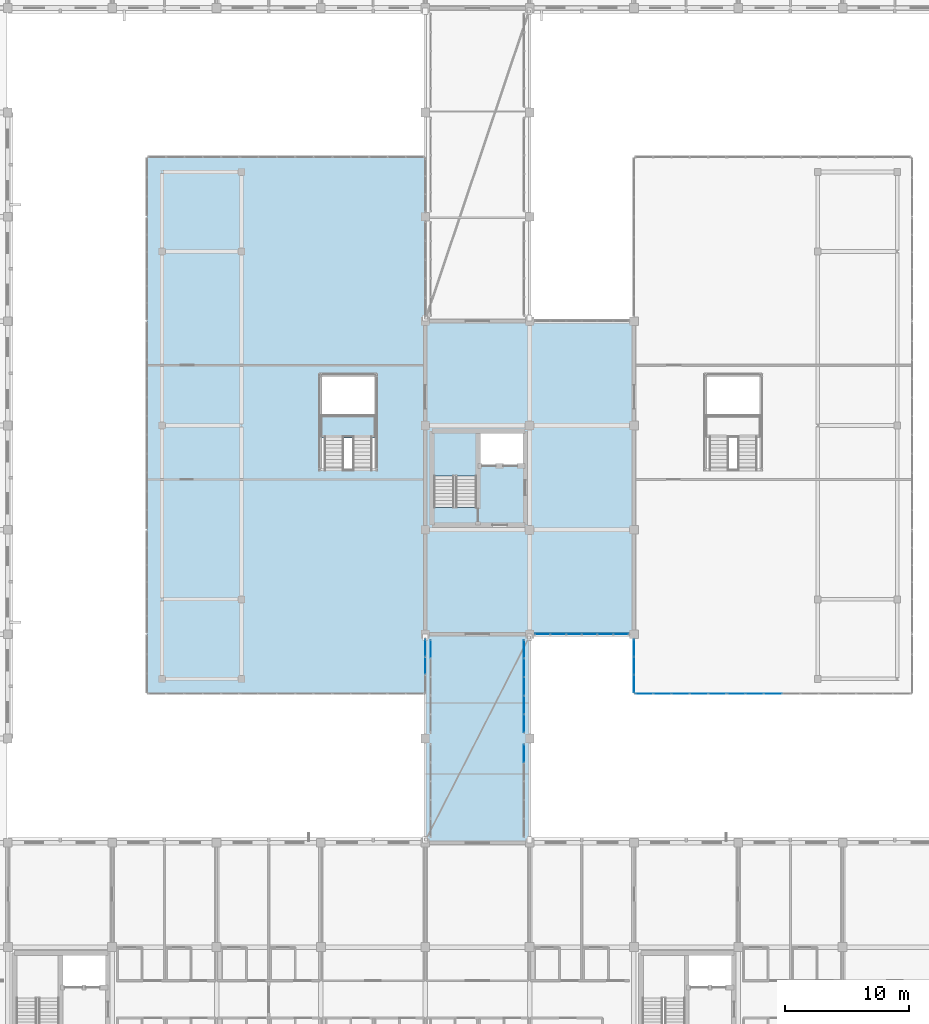
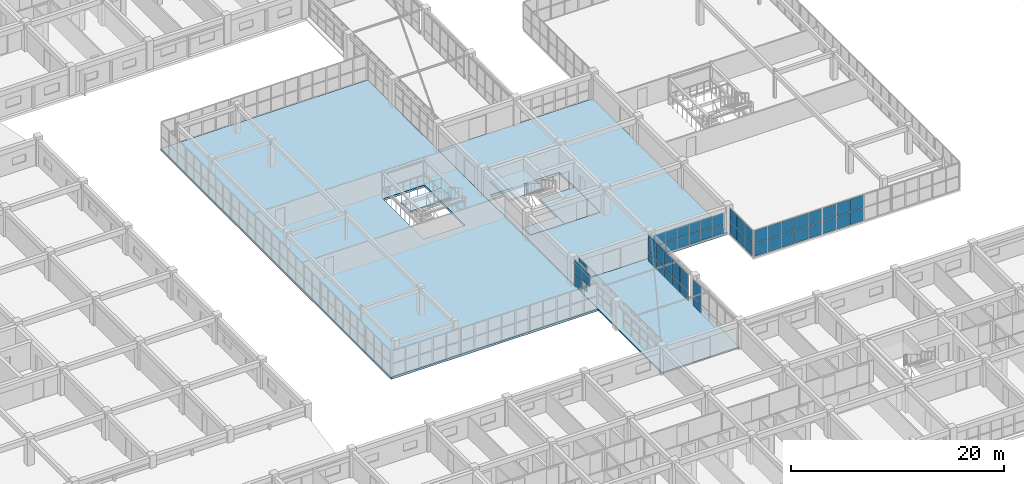
# One storey, part 101 of 148: 51 plates, 7 slabs, 10 elements without a shape of their own.
"""IFC4 building model written with IfcOpenShell, lengths in metres."""

from ifc_helpers import new_model, si_unit, direction, frame, origin, origin_2d, place, context, subcontext, project, spatial, polyline, rectangle, outline, extrude, material, layer, layer_set, type_object, element, aggregate, save


model = new_model("IFC4")

# Units and contexts
model_context = context("Model", 3, precision=1e-05, world=origin(), true_north=direction((0.0, 1.0)))
body_context = subcontext(model_context, "Body", "Model", "MODEL_VIEW")
ifc_project = project(units=[si_unit("LENGTHUNIT", "METRE"), si_unit("AREAUNIT", "SQUARE_METRE"), si_unit("VOLUMEUNIT", "CUBIC_METRE"), si_unit("PLANEANGLEUNIT", "RADIAN"), si_unit("MASSUNIT", "GRAM", prefix="KILO")], contexts=[model_context])

# Site, building, storey
site_placement = place(None, origin())
site = spatial("IfcSite", under=ifc_project, at=site_placement, CompositionType="ELEMENT")
building_placement = place(site_placement, origin())
building = spatial("IfcBuilding", under=site, at=building_placement, Name="Trelvath General Hospital", CompositionType="ELEMENT")
storey_placement = place(building_placement, frame((0.0, 0.0, 12.89990234375)))
storey = spatial("IfcBuildingStorey", under=building, at=storey_placement, Name="L03", CompositionType="ELEMENT", Elevation=12.89990234375)

# Slab
ifc_material_1 = material(Name="Concrete C35/45", Category="concrete")
ifc_layer_1 = layer(ifc_material_1, 0.18994140625)
ifc_layer_set_1 = layer_set([ifc_layer_1], Name="Concrete C35/45")
slab_type_1 = type_object("IfcSlabType", Name="BridgeDeck 190", PredefinedType="FLOOR", material=ifc_layer_set_1)
slab_1_placement = place(storey_placement, frame((0.0, 0.0, -0.18994140625)))
element("IfcSlab", 1, at=slab_1_placement, inside=storey, type_object=slab_type_1, Name="Courtyard Bridge Deck BRG-S-C L03", PredefinedType="FLOOR", context=body_context, shape_type="SweptSolid", body=[
    extrude(outline(polyline([(75.60009765625, 25.199951171875), (84.0, 25.199951171875), (84.0, 42.0), (75.60009765625, 42.0), (75.60009765625, 25.199951171875)])), origin(), (0.0, 0.0, 1.0), 0.18994140625),
])

# Curtain wall, plates
ifc_material_2 = material(Name="Anodised aluminium and low-E glass", Category="aluminium")
ifc_layer_2 = layer(ifc_material_2, 0.14990234375)
ifc_layer_set_2 = layer_set([ifc_layer_2], Name="Anodised aluminium and low-E glass")
curtain_wall_type_1 = type_object("IfcCurtainWallType", Name="CW CrystalCube 434 306 15", PredefinedType="USERDEFINED", material=ifc_layer_set_2)
curtain_wall_1_placement = place(storey_placement, origin())
curtain_wall_1 = element("IfcCurtainWall", 2, at=curtain_wall_1_placement, inside=storey, type_object=curtain_wall_type_1, Name="Crystal Cube Curtain Wall CUBE-W-T1 E1 L03", ObjectType="Unitised Glazed Curtain Wall", PredefinedType="USERDEFINED")
ifc_material_3 = material(Name="Low-E laminated glass", Category="glass")
ifc_layer_3 = layer(ifc_material_3, 0.028076171875)
ifc_layer_set_3 = layer_set([ifc_layer_3], Name="Low-E laminated glass")
plate_type_1 = type_object("IfcPlateType", Name="CurtainPanel Glass28", PredefinedType="CURTAIN_PANEL", material=ifc_layer_set_3)
plate_1_placement = place(storey_placement, frame((75.60009765625, 40.881591796875, 0.06005859375), z_axis=(0.0, 0.0, 1.0), x_axis=(0.0, -1.0, 0.0)))
plate_1 = element("IfcPlate", 3, at=plate_1_placement, type_object=plate_type_1, Name="CW-237 panel 1.1", PredefinedType="CURTAIN_PANEL", context=body_context, shape_type="SweptSolid", body=[
    extrude(rectangle(XDim=1.356689453125, YDim=0.028076171875, at=origin_2d()), origin(), (0.0, 0.0, 1.0), 1.43994140625),
])
plate_2_placement = place(storey_placement, frame((75.60009765625, 40.881591796875, 1.56005859375), z_axis=(0.0, 0.0, 1.0), x_axis=(0.0, -1.0, 0.0)))
plate_2 = element("IfcPlate", 4, at=plate_2_placement, type_object=plate_type_1, Name="CW-237 panel 1.2", PredefinedType="CURTAIN_PANEL", context=body_context, shape_type="SweptSolid", body=[
    extrude(rectangle(XDim=1.356689453125, YDim=0.028076171875, at=origin_2d()), origin(), (0.0, 0.0, 1.0), 1.43994140625),
])
plate_3_placement = place(storey_placement, frame((75.60009765625, 39.449951171875, 1.56005859375), z_axis=(0.0, 0.0, 1.0), x_axis=(0.0, -1.0, 0.0)))
plate_3 = element("IfcPlate", 5, at=plate_3_placement, type_object=plate_type_1, Name="CW-237 panel 2.2", PredefinedType="CURTAIN_PANEL", context=body_context, shape_type="SweptSolid", body=[
    extrude(rectangle(XDim=1.38671875, YDim=0.028076171875, at=origin_2d()), origin(), (0.0, 0.0, 1.0), 1.43994140625),
])
aggregate(curtain_wall_1, [plate_1, plate_2, plate_3])

ifc_material_4 = material(Name="Anodised aluminium and low-E glass", Category="aluminium")
ifc_layer_4 = layer(ifc_material_4, 0.14990234375)
ifc_layer_set_4 = layer_set([ifc_layer_4], Name="Anodised aluminium and low-E glass")
curtain_wall_type_2 = type_object("IfcCurtainWallType", Name="CW CrystalCube 737 306 15", PredefinedType="USERDEFINED", material=ifc_layer_set_4)
curtain_wall_2_placement = place(storey_placement, origin())
curtain_wall_2 = element("IfcCurtainWall", 6, at=curtain_wall_2_placement, inside=storey, type_object=curtain_wall_type_2, Name="Crystal Cube Curtain Wall CUBE-E-T1 S1 L03", ObjectType="Unitised Glazed Curtain Wall", PredefinedType="USERDEFINED")
plate_4_placement = place(storey_placement, frame((99.094970703125, 37.199951171875, 0.06005859375), z_axis=(0.0, 0.0, 1.0), x_axis=(-1.0, 0.0, 0.0)))
plate_4 = element("IfcPlate", 7, at=plate_4_placement, type_object=plate_type_1, Name="CW-244 panel 1.1", PredefinedType="CURTAIN_PANEL", context=body_context, shape_type="SweptSolid", body=[
    extrude(rectangle(XDim=1.38330078125, YDim=0.028076171875, at=origin_2d()), origin(), (0.0, 0.0, 1.0), 1.43994140625),
])
plate_5_placement = place(storey_placement, frame((99.094970703125, 37.199951171875, 1.56005859375), z_axis=(0.0, 0.0, 1.0), x_axis=(-1.0, 0.0, 0.0)))
plate_5 = element("IfcPlate", 8, at=plate_5_placement, type_object=plate_type_1, Name="CW-244 panel 1.2", PredefinedType="CURTAIN_PANEL", context=body_context, shape_type="SweptSolid", body=[
    extrude(rectangle(XDim=1.38330078125, YDim=0.028076171875, at=origin_2d()), origin(), (0.0, 0.0, 1.0), 1.43994140625),
])
plate_6_placement = place(storey_placement, frame((97.63671875, 37.199951171875, 0.06005859375), z_axis=(0.0, 0.0, 1.0), x_axis=(-1.0, 0.0, 0.0)))
plate_6 = element("IfcPlate", 9, at=plate_6_placement, type_object=plate_type_1, Name="CW-244 panel 2.1", PredefinedType="CURTAIN_PANEL", context=body_context, shape_type="SweptSolid", body=[
    extrude(rectangle(XDim=1.413330078125, YDim=0.028076171875, at=origin_2d()), origin(), (0.0, 0.0, 1.0), 1.43994140625),
])
plate_7_placement = place(storey_placement, frame((97.63671875, 37.199951171875, 1.56005859375), z_axis=(0.0, 0.0, 1.0), x_axis=(-1.0, 0.0, 0.0)))
plate_7 = element("IfcPlate", 10, at=plate_7_placement, type_object=plate_type_1, Name="CW-244 panel 2.2", PredefinedType="CURTAIN_PANEL", context=body_context, shape_type="SweptSolid", body=[
    extrude(rectangle(XDim=1.413330078125, YDim=0.028076171875, at=origin_2d()), origin(), (0.0, 0.0, 1.0), 1.43994140625),
])
plate_8_placement = place(storey_placement, frame((96.163330078125, 37.199951171875, 0.06005859375), z_axis=(0.0, 0.0, 1.0), x_axis=(-1.0, 0.0, 0.0)))
plate_8 = element("IfcPlate", 11, at=plate_8_placement, type_object=plate_type_1, Name="CW-244 panel 3.1", PredefinedType="CURTAIN_PANEL", context=body_context, shape_type="SweptSolid", body=[
    extrude(rectangle(XDim=1.413330078125, YDim=0.028076171875, at=origin_2d()), origin(), (0.0, 0.0, 1.0), 1.43994140625),
])
plate_9_placement = place(storey_placement, frame((96.163330078125, 37.199951171875, 1.56005859375), z_axis=(0.0, 0.0, 1.0), x_axis=(-1.0, 0.0, 0.0)))
plate_9 = element("IfcPlate", 12, at=plate_9_placement, type_object=plate_type_1, Name="CW-244 panel 3.2", PredefinedType="CURTAIN_PANEL", context=body_context, shape_type="SweptSolid", body=[
    extrude(rectangle(XDim=1.413330078125, YDim=0.028076171875, at=origin_2d()), origin(), (0.0, 0.0, 1.0), 1.43994140625),
])
plate_10_placement = place(storey_placement, frame((94.68994140625, 37.199951171875, 0.06005859375), z_axis=(0.0, 0.0, 1.0), x_axis=(-1.0, 0.0, 0.0)))
plate_10 = element("IfcPlate", 13, at=plate_10_placement, type_object=plate_type_1, Name="CW-244 panel 4.1", PredefinedType="CURTAIN_PANEL", context=body_context, shape_type="SweptSolid", body=[
    extrude(rectangle(XDim=1.413330078125, YDim=0.028076171875, at=origin_2d()), origin(), (0.0, 0.0, 1.0), 1.43994140625),
])
plate_11_placement = place(storey_placement, frame((94.68994140625, 37.199951171875, 1.56005859375), z_axis=(0.0, 0.0, 1.0), x_axis=(-1.0, 0.0, 0.0)))
plate_11 = element("IfcPlate", 14, at=plate_11_placement, type_object=plate_type_1, Name="CW-244 panel 4.2", PredefinedType="CURTAIN_PANEL", context=body_context, shape_type="SweptSolid", body=[
    extrude(rectangle(XDim=1.413330078125, YDim=0.028076171875, at=origin_2d()), origin(), (0.0, 0.0, 1.0), 1.43994140625),
])
plate_12_placement = place(storey_placement, frame((93.231689453125, 37.199951171875, 0.06005859375), z_axis=(0.0, 0.0, 1.0), x_axis=(-1.0, 0.0, 0.0)))
plate_12 = element("IfcPlate", 15, at=plate_12_placement, type_object=plate_type_1, Name="CW-244 panel 5.1", PredefinedType="CURTAIN_PANEL", context=body_context, shape_type="SweptSolid", body=[
    extrude(rectangle(XDim=1.38330078125, YDim=0.028076171875, at=origin_2d()), origin(), (0.0, 0.0, 1.0), 1.43994140625),
])
plate_13_placement = place(storey_placement, frame((93.231689453125, 37.199951171875, 1.56005859375), z_axis=(0.0, 0.0, 1.0), x_axis=(-1.0, 0.0, 0.0)))
plate_13 = element("IfcPlate", 16, at=plate_13_placement, type_object=plate_type_1, Name="CW-244 panel 5.2", PredefinedType="CURTAIN_PANEL", context=body_context, shape_type="SweptSolid", body=[
    extrude(rectangle(XDim=1.38330078125, YDim=0.028076171875, at=origin_2d()), origin(), (0.0, 0.0, 1.0), 1.43994140625),
])
aggregate(curtain_wall_2, [plate_4, plate_5, plate_6, plate_7, plate_8, plate_9, plate_10, plate_11, plate_12, plate_13])

ifc_material_5 = material(Name="Anodised aluminium and low-E glass", Category="aluminium")
ifc_layer_5 = layer(ifc_material_5, 0.14990234375)
ifc_layer_set_5 = layer_set([ifc_layer_5], Name="Anodised aluminium and low-E glass")
curtain_wall_type_3 = type_object("IfcCurtainWallType", Name="CW CrystalCube 743 306 15", PredefinedType="USERDEFINED", material=ifc_layer_set_5)
curtain_wall_3_placement = place(storey_placement, origin())
curtain_wall_3 = element("IfcCurtainWall", 17, at=curtain_wall_3_placement, inside=storey, type_object=curtain_wall_type_3, Name="Crystal Cube Curtain Wall CUBE-E-T1 S2 L03", ObjectType="Unitised Glazed Curtain Wall", PredefinedType="USERDEFINED")
plate_14_placement = place(storey_placement, frame((103.60009765625, 37.199951171875, 0.06005859375), z_axis=(0.0, 0.0, 1.0), x_axis=(-1.0, 0.0, 0.0)))
plate_14 = element("IfcPlate", 18, at=plate_14_placement, type_object=plate_type_1, Name="CW-245 panel 3.1", PredefinedType="CURTAIN_PANEL", context=body_context, shape_type="SweptSolid", body=[
    extrude(rectangle(XDim=1.42529296875, YDim=0.028076171875, at=origin_2d()), origin(), (0.0, 0.0, 1.0), 1.43994140625),
])
plate_15_placement = place(storey_placement, frame((103.60009765625, 37.199951171875, 1.56005859375), z_axis=(0.0, 0.0, 1.0), x_axis=(-1.0, 0.0, 0.0)))
plate_15 = element("IfcPlate", 19, at=plate_15_placement, type_object=plate_type_1, Name="CW-245 panel 3.2", PredefinedType="CURTAIN_PANEL", context=body_context, shape_type="SweptSolid", body=[
    extrude(rectangle(XDim=1.42529296875, YDim=0.028076171875, at=origin_2d()), origin(), (0.0, 0.0, 1.0), 1.43994140625),
])
plate_16_placement = place(storey_placement, frame((102.11474609375, 37.199951171875, 0.06005859375), z_axis=(0.0, 0.0, 1.0), x_axis=(-1.0, 0.0, 0.0)))
plate_16 = element("IfcPlate", 20, at=plate_16_placement, type_object=plate_type_1, Name="CW-245 panel 4.1", PredefinedType="CURTAIN_PANEL", context=body_context, shape_type="SweptSolid", body=[
    extrude(rectangle(XDim=1.42529296875, YDim=0.028076171875, at=origin_2d()), origin(), (0.0, 0.0, 1.0), 1.43994140625),
])
plate_17_placement = place(storey_placement, frame((102.11474609375, 37.199951171875, 1.56005859375), z_axis=(0.0, 0.0, 1.0), x_axis=(-1.0, 0.0, 0.0)))
plate_17 = element("IfcPlate", 21, at=plate_17_placement, type_object=plate_type_1, Name="CW-245 panel 4.2", PredefinedType="CURTAIN_PANEL", context=body_context, shape_type="SweptSolid", body=[
    extrude(rectangle(XDim=1.42529296875, YDim=0.028076171875, at=origin_2d()), origin(), (0.0, 0.0, 1.0), 1.43994140625),
])
plate_18_placement = place(storey_placement, frame((100.644287109375, 37.199951171875, 0.06005859375), z_axis=(0.0, 0.0, 1.0), x_axis=(-1.0, 0.0, 0.0)))
plate_18 = element("IfcPlate", 22, at=plate_18_placement, type_object=plate_type_1, Name="CW-245 panel 5.1", PredefinedType="CURTAIN_PANEL", context=body_context, shape_type="SweptSolid", body=[
    extrude(rectangle(XDim=1.395263671875, YDim=0.028076171875, at=origin_2d()), origin(), (0.0, 0.0, 1.0), 1.43994140625),
])
plate_19_placement = place(storey_placement, frame((100.644287109375, 37.199951171875, 1.56005859375), z_axis=(0.0, 0.0, 1.0), x_axis=(-1.0, 0.0, 0.0)))
plate_19 = element("IfcPlate", 23, at=plate_19_placement, type_object=plate_type_1, Name="CW-245 panel 5.2", PredefinedType="CURTAIN_PANEL", context=body_context, shape_type="SweptSolid", body=[
    extrude(rectangle(XDim=1.395263671875, YDim=0.028076171875, at=origin_2d()), origin(), (0.0, 0.0, 1.0), 1.43994140625),
])
aggregate(curtain_wall_3, [plate_14, plate_15, plate_16, plate_17, plate_18, plate_19])

curtain_wall_4_placement = place(storey_placement, origin())
curtain_wall_4 = element("IfcCurtainWall", 24, at=curtain_wall_4_placement, inside=storey, type_object=curtain_wall_type_1, Name="Crystal Cube Curtain Wall CUBE-E-T1 W1 L03", ObjectType="Unitised Glazed Curtain Wall", PredefinedType="USERDEFINED")
plate_20_placement = place(storey_placement, frame((92.39990234375, 38.018310546875, 0.06005859375), z_axis=(0.0, 0.0, 1.0), x_axis=(0.0, 1.0, 0.0)))
plate_20 = element("IfcPlate", 25, at=plate_20_placement, type_object=plate_type_1, Name="CW-251 panel 1.1", PredefinedType="CURTAIN_PANEL", context=body_context, shape_type="SweptSolid", body=[
    extrude(rectangle(XDim=1.356689453125, YDim=0.028076171875, at=origin_2d()), origin(), (0.0, 0.0, 1.0), 1.43994140625),
])
plate_21_placement = place(storey_placement, frame((92.39990234375, 38.018310546875, 1.56005859375), z_axis=(0.0, 0.0, 1.0), x_axis=(0.0, 1.0, 0.0)))
plate_21 = element("IfcPlate", 26, at=plate_21_placement, type_object=plate_type_1, Name="CW-251 panel 1.2", PredefinedType="CURTAIN_PANEL", context=body_context, shape_type="SweptSolid", body=[
    extrude(rectangle(XDim=1.356689453125, YDim=0.028076171875, at=origin_2d()), origin(), (0.0, 0.0, 1.0), 1.43994140625),
])
plate_22_placement = place(storey_placement, frame((92.39990234375, 39.449951171875, 0.06005859375), z_axis=(0.0, 0.0, 1.0), x_axis=(0.0, 1.0, 0.0)))
plate_22 = element("IfcPlate", 27, at=plate_22_placement, type_object=plate_type_1, Name="CW-251 panel 2.1", PredefinedType="CURTAIN_PANEL", context=body_context, shape_type="SweptSolid", body=[
    extrude(rectangle(XDim=1.38671875, YDim=0.028076171875, at=origin_2d()), origin(), (0.0, 0.0, 1.0), 1.43994140625),
])
plate_23_placement = place(storey_placement, frame((92.39990234375, 39.449951171875, 1.56005859375), z_axis=(0.0, 0.0, 1.0), x_axis=(0.0, 1.0, 0.0)))
plate_23 = element("IfcPlate", 28, at=plate_23_placement, type_object=plate_type_1, Name="CW-251 panel 2.2", PredefinedType="CURTAIN_PANEL", context=body_context, shape_type="SweptSolid", body=[
    extrude(rectangle(XDim=1.38671875, YDim=0.028076171875, at=origin_2d()), origin(), (0.0, 0.0, 1.0), 1.43994140625),
])
plate_24_placement = place(storey_placement, frame((92.39990234375, 40.881591796875, 0.06005859375), z_axis=(0.0, 0.0, 1.0), x_axis=(0.0, 1.0, 0.0)))
plate_24 = element("IfcPlate", 29, at=plate_24_placement, type_object=plate_type_1, Name="CW-251 panel 3.1", PredefinedType="CURTAIN_PANEL", context=body_context, shape_type="SweptSolid", body=[
    extrude(rectangle(XDim=1.356689453125, YDim=0.028076171875, at=origin_2d()), origin(), (0.0, 0.0, 1.0), 1.43994140625),
])
plate_25_placement = place(storey_placement, frame((92.39990234375, 40.881591796875, 1.56005859375), z_axis=(0.0, 0.0, 1.0), x_axis=(0.0, 1.0, 0.0)))
plate_25 = element("IfcPlate", 30, at=plate_25_placement, type_object=plate_type_1, Name="CW-251 panel 3.2", PredefinedType="CURTAIN_PANEL", context=body_context, shape_type="SweptSolid", body=[
    extrude(rectangle(XDim=1.356689453125, YDim=0.028076171875, at=origin_2d()), origin(), (0.0, 0.0, 1.0), 1.43994140625),
])
aggregate(curtain_wall_4, [plate_20, plate_21, plate_22, plate_23, plate_24, plate_25])

ifc_material_6 = material(Name="Anodised aluminium and low-E glass", Category="aluminium")
ifc_layer_6 = layer(ifc_material_6, 0.139892578125)
ifc_layer_set_6 = layer_set([ifc_layer_6], Name="Anodised aluminium and low-E glass")
curtain_wall_type_4 = type_object("IfcCurtainWallType", Name="CW Bridge 752 311", PredefinedType="USERDEFINED", material=ifc_layer_set_6)
curtain_wall_5_placement = place(storey_placement, origin())
curtain_wall_5 = element("IfcCurtainWall", 31, at=curtain_wall_5_placement, inside=storey, type_object=curtain_wall_type_4, Name="Glazed Bridge Curtain Wall BRG-S-C E L03", ObjectType="Unitised Glazed Curtain Wall", PredefinedType="USERDEFINED")
plate_26_placement = place(storey_placement, frame((83.56005859375, 32.39306640625, 0.06005859375), z_axis=(0.0, 0.0, 1.0), x_axis=(0.0, -1.0, 0.0)))
plate_26 = element("IfcPlate", 32, at=plate_26_placement, type_object=plate_type_1, Name="CW-265 panel 1.1", PredefinedType="CURTAIN_PANEL", context=body_context, shape_type="SweptSolid", body=[
    extrude(rectangle(XDim=1.4140625, YDim=0.028076171875, at=origin_2d()), origin(), (0.0, 0.0, 1.0), 1.010009765625),
])
plate_27_placement = place(storey_placement, frame((83.56005859375, 32.39306640625, 1.130126953125), z_axis=(0.0, 0.0, 1.0), x_axis=(0.0, -1.0, 0.0)))
plate_27 = element("IfcPlate", 33, at=plate_27_placement, type_object=plate_type_1, Name="CW-265 panel 1.2", PredefinedType="CURTAIN_PANEL", context=body_context, shape_type="SweptSolid", body=[
    extrude(rectangle(XDim=1.4140625, YDim=0.028076171875, at=origin_2d()), origin(), (0.0, 0.0, 1.0), 1.919921875),
])
aggregate(curtain_wall_5, [plate_26, plate_27])

curtain_wall_6_placement = place(storey_placement, origin())
curtain_wall_6 = element("IfcCurtainWall", 34, at=curtain_wall_6_placement, inside=storey, type_object=curtain_wall_type_4, Name="Glazed Bridge Curtain Wall BRG-S-C W L03", ObjectType="Unitised Glazed Curtain Wall", PredefinedType="USERDEFINED")
plate_28_placement = place(storey_placement, frame((76.0400390625, 40.79296875, 0.06005859375), z_axis=(0.0, 0.0, 1.0), x_axis=(0.0, 1.0, 0.0)))
plate_28 = element("IfcPlate", 35, at=plate_28_placement, type_object=plate_type_1, Name="CW-266 panel 5.1", PredefinedType="CURTAIN_PANEL", context=body_context, shape_type="SweptSolid", body=[
    extrude(rectangle(XDim=1.4140625, YDim=0.028076171875, at=origin_2d()), origin(), (0.0, 0.0, 1.0), 1.010009765625),
])
plate_29_placement = place(storey_placement, frame((76.0400390625, 40.79296875, 1.130126953125), z_axis=(0.0, 0.0, 1.0), x_axis=(0.0, 1.0, 0.0)))
plate_29 = element("IfcPlate", 36, at=plate_29_placement, type_object=plate_type_1, Name="CW-266 panel 5.2", PredefinedType="CURTAIN_PANEL", context=body_context, shape_type="SweptSolid", body=[
    extrude(rectangle(XDim=1.4140625, YDim=0.028076171875, at=origin_2d()), origin(), (0.0, 0.0, 1.0), 1.919921875),
])
aggregate(curtain_wall_6, [plate_28, plate_29])

curtain_wall_7_placement = place(storey_placement, origin())
curtain_wall_7 = element("IfcCurtainWall", 37, at=curtain_wall_7_placement, inside=storey, type_object=curtain_wall_type_4, Name="Glazed Bridge Curtain Wall BRG-S-C E L03", ObjectType="Unitised Glazed Curtain Wall", PredefinedType="USERDEFINED")
plate_30_placement = place(storey_placement, frame((83.56005859375, 40.79296875, 0.06005859375), z_axis=(0.0, 0.0, 1.0), x_axis=(0.0, -1.0, 0.0)))
plate_30 = element("IfcPlate", 38, at=plate_30_placement, type_object=plate_type_1, Name="CW-267 panel 1.1", PredefinedType="CURTAIN_PANEL", context=body_context, shape_type="SweptSolid", body=[
    extrude(rectangle(XDim=1.4140625, YDim=0.028076171875, at=origin_2d()), origin(), (0.0, 0.0, 1.0), 1.010009765625),
])
plate_31_placement = place(storey_placement, frame((83.56005859375, 40.79296875, 1.130126953125), z_axis=(0.0, 0.0, 1.0), x_axis=(0.0, -1.0, 0.0)))
plate_31 = element("IfcPlate", 39, at=plate_31_placement, type_object=plate_type_1, Name="CW-267 panel 1.2", PredefinedType="CURTAIN_PANEL", context=body_context, shape_type="SweptSolid", body=[
    extrude(rectangle(XDim=1.4140625, YDim=0.028076171875, at=origin_2d()), origin(), (0.0, 0.0, 1.0), 1.919921875),
])
plate_32_placement = place(storey_placement, frame((83.56005859375, 39.303955078125, 0.06005859375), z_axis=(0.0, 0.0, 1.0), x_axis=(0.0, -1.0, 0.0)))
plate_32 = element("IfcPlate", 40, at=plate_32_placement, type_object=plate_type_1, Name="CW-267 panel 2.1", PredefinedType="CURTAIN_PANEL", context=body_context, shape_type="SweptSolid", body=[
    extrude(rectangle(XDim=1.444091796875, YDim=0.028076171875, at=origin_2d()), origin(), (0.0, 0.0, 1.0), 1.010009765625),
])
plate_33_placement = place(storey_placement, frame((83.56005859375, 39.303955078125, 1.130126953125), z_axis=(0.0, 0.0, 1.0), x_axis=(0.0, -1.0, 0.0)))
plate_33 = element("IfcPlate", 41, at=plate_33_placement, type_object=plate_type_1, Name="CW-267 panel 2.2", PredefinedType="CURTAIN_PANEL", context=body_context, shape_type="SweptSolid", body=[
    extrude(rectangle(XDim=1.444091796875, YDim=0.028076171875, at=origin_2d()), origin(), (0.0, 0.0, 1.0), 1.919921875),
])
plate_34_placement = place(storey_placement, frame((83.56005859375, 37.800048828125, 0.06005859375), z_axis=(0.0, 0.0, 1.0), x_axis=(0.0, -1.0, 0.0)))
plate_34 = element("IfcPlate", 42, at=plate_34_placement, type_object=plate_type_1, Name="CW-267 panel 3.1", PredefinedType="CURTAIN_PANEL", context=body_context, shape_type="SweptSolid", body=[
    extrude(rectangle(XDim=1.444091796875, YDim=0.028076171875, at=origin_2d()), origin(), (0.0, 0.0, 1.0), 1.010009765625),
])
plate_35_placement = place(storey_placement, frame((83.56005859375, 37.800048828125, 1.130126953125), z_axis=(0.0, 0.0, 1.0), x_axis=(0.0, -1.0, 0.0)))
plate_35 = element("IfcPlate", 43, at=plate_35_placement, type_object=plate_type_1, Name="CW-267 panel 3.2", PredefinedType="CURTAIN_PANEL", context=body_context, shape_type="SweptSolid", body=[
    extrude(rectangle(XDim=1.444091796875, YDim=0.028076171875, at=origin_2d()), origin(), (0.0, 0.0, 1.0), 1.919921875),
])
plate_36_placement = place(storey_placement, frame((83.56005859375, 36.2958984375, 0.06005859375), z_axis=(0.0, 0.0, 1.0), x_axis=(0.0, -1.0, 0.0)))
plate_36 = element("IfcPlate", 44, at=plate_36_placement, type_object=plate_type_1, Name="CW-267 panel 4.1", PredefinedType="CURTAIN_PANEL", context=body_context, shape_type="SweptSolid", body=[
    extrude(rectangle(XDim=1.444091796875, YDim=0.028076171875, at=origin_2d()), origin(), (0.0, 0.0, 1.0), 1.010009765625),
])
plate_37_placement = place(storey_placement, frame((83.56005859375, 36.2958984375, 1.130126953125), z_axis=(0.0, 0.0, 1.0), x_axis=(0.0, -1.0, 0.0)))
plate_37 = element("IfcPlate", 45, at=plate_37_placement, type_object=plate_type_1, Name="CW-267 panel 4.2", PredefinedType="CURTAIN_PANEL", context=body_context, shape_type="SweptSolid", body=[
    extrude(rectangle(XDim=1.444091796875, YDim=0.028076171875, at=origin_2d()), origin(), (0.0, 0.0, 1.0), 1.919921875),
])
plate_38_placement = place(storey_placement, frame((83.56005859375, 34.806884765625, 0.06005859375), z_axis=(0.0, 0.0, 1.0), x_axis=(0.0, -1.0, 0.0)))
plate_38 = element("IfcPlate", 46, at=plate_38_placement, type_object=plate_type_1, Name="CW-267 panel 5.1", PredefinedType="CURTAIN_PANEL", context=body_context, shape_type="SweptSolid", body=[
    extrude(rectangle(XDim=1.4140625, YDim=0.028076171875, at=origin_2d()), origin(), (0.0, 0.0, 1.0), 1.010009765625),
])
plate_39_placement = place(storey_placement, frame((83.56005859375, 34.806884765625, 1.130126953125), z_axis=(0.0, 0.0, 1.0), x_axis=(0.0, -1.0, 0.0)))
plate_39 = element("IfcPlate", 47, at=plate_39_placement, type_object=plate_type_1, Name="CW-267 panel 5.2", PredefinedType="CURTAIN_PANEL", context=body_context, shape_type="SweptSolid", body=[
    extrude(rectangle(XDim=1.4140625, YDim=0.028076171875, at=origin_2d()), origin(), (0.0, 0.0, 1.0), 1.919921875),
])
aggregate(curtain_wall_7, [plate_30, plate_31, plate_32, plate_33, plate_34, plate_35, plate_36, plate_37, plate_38, plate_39])

ifc_material_7 = material(Name="Anodised aluminium and low-E glass", Category="aluminium")
ifc_layer_7 = layer(ifc_material_7, 0.159912109375)
ifc_layer_set_7 = layer_set([ifc_layer_7], Name="Anodised aluminium and low-E glass")
curtain_wall_type_5 = type_object("IfcCurtainWallType", Name="CW Facade 759 244 16", PredefinedType="USERDEFINED", material=ifc_layer_set_7)
curtain_wall_8_placement = place(storey_placement, origin())
curtain_wall_8 = element("IfcCurtainWall", 48, at=curtain_wall_8_placement, inside=storey, type_object=curtain_wall_type_5, Name="Facade Curtain Wall CW-058", ObjectType="Unitised Glazed Curtain Wall", PredefinedType="USERDEFINED")
ifc_material_8 = material(Name="Low-E laminated glass", Category="glass")
ifc_layer_8 = layer(ifc_material_8, 0.035888671875)
ifc_layer_set_8 = layer_set([ifc_layer_8], Name="Low-E laminated glass")
plate_type_2 = type_object("IfcPlateType", Name="CurtainPanel Glass36", PredefinedType="CURTAIN_PANEL", material=ifc_layer_set_8)
plate_40_placement = place(storey_placement, frame((91.347412109375, 42.0, 0.06005859375), z_axis=(0.0, 0.0, 1.0), x_axis=(-1.0, 0.0, 0.0)))
plate_40 = element("IfcPlate", 49, at=plate_40_placement, type_object=plate_type_2, Name="CW-058 panel 1.1", PredefinedType="CURTAIN_PANEL", context=body_context, shape_type="SweptSolid", body=[
    extrude(rectangle(XDim=1.175048828125, YDim=0.035888671875, at=origin_2d()), origin(), (0.0, 0.0, 1.0), 1.0810546875),
])
plate_41_placement = place(storey_placement, frame((91.347412109375, 42.0, 1.201171875), z_axis=(0.0, 0.0, 1.0), x_axis=(-1.0, 0.0, 0.0)))
plate_41 = element("IfcPlate", 50, at=plate_41_placement, type_object=plate_type_2, Name="CW-058 panel 1.2", PredefinedType="CURTAIN_PANEL", context=body_context, shape_type="SweptSolid", body=[
    extrude(rectangle(XDim=1.175048828125, YDim=0.035888671875, at=origin_2d()), origin(), (0.0, 0.0, 1.0), 1.178955078125),
])
plate_42_placement = place(storey_placement, frame((90.097412109375, 42.0, 0.06005859375), z_axis=(0.0, 0.0, 1.0), x_axis=(-1.0, 0.0, 0.0)))
plate_42 = element("IfcPlate", 51, at=plate_42_placement, type_object=plate_type_2, Name="CW-058 panel 2.1", PredefinedType="CURTAIN_PANEL", context=body_context, shape_type="SweptSolid", body=[
    extrude(rectangle(XDim=1.205078125, YDim=0.035888671875, at=origin_2d()), origin(), (0.0, 0.0, 1.0), 1.0810546875),
])
plate_43_placement = place(storey_placement, frame((90.097412109375, 42.0, 1.201171875), z_axis=(0.0, 0.0, 1.0), x_axis=(-1.0, 0.0, 0.0)))
plate_43 = element("IfcPlate", 52, at=plate_43_placement, type_object=plate_type_2, Name="CW-058 panel 2.2", PredefinedType="CURTAIN_PANEL", context=body_context, shape_type="SweptSolid", body=[
    extrude(rectangle(XDim=1.205078125, YDim=0.035888671875, at=origin_2d()), origin(), (0.0, 0.0, 1.0), 1.178955078125),
])
plate_44_placement = place(storey_placement, frame((88.83251953125, 42.0, 0.06005859375), z_axis=(0.0, 0.0, 1.0), x_axis=(-1.0, 0.0, 0.0)))
plate_44 = element("IfcPlate", 53, at=plate_44_placement, type_object=plate_type_2, Name="CW-058 panel 3.1", PredefinedType="CURTAIN_PANEL", context=body_context, shape_type="SweptSolid", body=[
    extrude(rectangle(XDim=1.205078125, YDim=0.035888671875, at=origin_2d()), origin(), (0.0, 0.0, 1.0), 1.0810546875),
])
plate_45_placement = place(storey_placement, frame((88.83251953125, 42.0, 1.201171875), z_axis=(0.0, 0.0, 1.0), x_axis=(-1.0, 0.0, 0.0)))
plate_45 = element("IfcPlate", 54, at=plate_45_placement, type_object=plate_type_2, Name="CW-058 panel 3.2", PredefinedType="CURTAIN_PANEL", context=body_context, shape_type="SweptSolid", body=[
    extrude(rectangle(XDim=1.205078125, YDim=0.035888671875, at=origin_2d()), origin(), (0.0, 0.0, 1.0), 1.178955078125),
])
plate_46_placement = place(storey_placement, frame((87.5673828125, 42.0, 0.06005859375), z_axis=(0.0, 0.0, 1.0), x_axis=(-1.0, 0.0, 0.0)))
plate_46 = element("IfcPlate", 55, at=plate_46_placement, type_object=plate_type_2, Name="CW-058 panel 4.1", PredefinedType="CURTAIN_PANEL", context=body_context, shape_type="SweptSolid", body=[
    extrude(rectangle(XDim=1.205078125, YDim=0.035888671875, at=origin_2d()), origin(), (0.0, 0.0, 1.0), 1.0810546875),
])
plate_47_placement = place(storey_placement, frame((87.5673828125, 42.0, 1.201171875), z_axis=(0.0, 0.0, 1.0), x_axis=(-1.0, 0.0, 0.0)))
plate_47 = element("IfcPlate", 56, at=plate_47_placement, type_object=plate_type_2, Name="CW-058 panel 4.2", PredefinedType="CURTAIN_PANEL", context=body_context, shape_type="SweptSolid", body=[
    extrude(rectangle(XDim=1.205078125, YDim=0.035888671875, at=origin_2d()), origin(), (0.0, 0.0, 1.0), 1.178955078125),
])
plate_48_placement = place(storey_placement, frame((86.302490234375, 42.0, 0.06005859375), z_axis=(0.0, 0.0, 1.0), x_axis=(-1.0, 0.0, 0.0)))
plate_48 = element("IfcPlate", 57, at=plate_48_placement, type_object=plate_type_2, Name="CW-058 panel 5.1", PredefinedType="CURTAIN_PANEL", context=body_context, shape_type="SweptSolid", body=[
    extrude(rectangle(XDim=1.205078125, YDim=0.035888671875, at=origin_2d()), origin(), (0.0, 0.0, 1.0), 1.0810546875),
])
plate_49_placement = place(storey_placement, frame((86.302490234375, 42.0, 1.201171875), z_axis=(0.0, 0.0, 1.0), x_axis=(-1.0, 0.0, 0.0)))
plate_49 = element("IfcPlate", 58, at=plate_49_placement, type_object=plate_type_2, Name="CW-058 panel 5.2", PredefinedType="CURTAIN_PANEL", context=body_context, shape_type="SweptSolid", body=[
    extrude(rectangle(XDim=1.205078125, YDim=0.035888671875, at=origin_2d()), origin(), (0.0, 0.0, 1.0), 1.178955078125),
])
plate_50_placement = place(storey_placement, frame((85.052490234375, 42.0, 0.06005859375), z_axis=(0.0, 0.0, 1.0), x_axis=(-1.0, 0.0, 0.0)))
plate_50 = element("IfcPlate", 59, at=plate_50_placement, type_object=plate_type_2, Name="CW-058 panel 6.1", PredefinedType="CURTAIN_PANEL", context=body_context, shape_type="SweptSolid", body=[
    extrude(rectangle(XDim=1.175048828125, YDim=0.035888671875, at=origin_2d()), origin(), (0.0, 0.0, 1.0), 1.0810546875),
])
plate_51_placement = place(storey_placement, frame((85.052490234375, 42.0, 1.201171875), z_axis=(0.0, 0.0, 1.0), x_axis=(-1.0, 0.0, 0.0)))
plate_51 = element("IfcPlate", 60, at=plate_51_placement, type_object=plate_type_2, Name="CW-058 panel 6.2", PredefinedType="CURTAIN_PANEL", context=body_context, shape_type="SweptSolid", body=[
    extrude(rectangle(XDim=1.175048828125, YDim=0.035888671875, at=origin_2d()), origin(), (0.0, 0.0, 1.0), 1.178955078125),
])
aggregate(curtain_wall_8, [plate_40, plate_41, plate_42, plate_43, plate_44, plate_45, plate_46, plate_47, plate_48, plate_49, plate_50, plate_51])

# Slabs
ifc_material_9 = material(Name="Concrete C35/45", Category="concrete")
ifc_layer_9 = layer(ifc_material_9, 0.280029296875)
ifc_layer_set_9 = layer_set([ifc_layer_9], Name="Concrete C35/45")
slab_type_2 = type_object("IfcSlabType", Name="FlatSlab Clinical280", PredefinedType="FLOOR", material=ifc_layer_set_9)
slab_2_placement = place(storey_placement, frame((0.0, 0.0, -0.27978515625)))
element("IfcSlab", 61, at=slab_2_placement, inside=storey, type_object=slab_type_2, Name="Floor Slab SL-L03-V7-C1", PredefinedType="FLOOR", context=body_context, shape_type="SweptSolid", body=[
    extrude(outline(polyline([(75.60009765625, 42.0), (75.60009765625, 67.199951171875), (92.39990234375, 67.199951171875), (92.39990234375, 42.0), (75.60009765625, 42.0)]), holes=[polyline([(76.14990234375, 50.800048828125), (83.64990234375, 50.800048828125), (83.64990234375, 58.35009765625), (76.14990234375, 58.35009765625), (76.14990234375, 50.800048828125)])]), origin(), (0.0, 0.0, 1.0), 0.27978515625),
])
slab_3_placement = place(storey_placement, frame((0.0, 0.0, -0.27978515625)))
element("IfcSlab", 62, at=slab_3_placement, inside=storey, type_object=slab_type_2, Name="Core Lobby Slab C6 L03", PredefinedType="FLOOR", context=body_context, shape_type="SweptSolid", body=[
    extrude(outline(polyline([(79.85009765625, 50.800048828125), (83.64990234375, 50.800048828125), (83.64990234375, 55.550048828125), (79.85009765625, 55.550048828125), (79.85009765625, 50.800048828125)])), origin(), (0.0, 0.0, 1.0), 0.27978515625),
])
slab_4_placement = place(storey_placement, frame((0.0, 0.0, -0.27978515625)))
element("IfcSlab", 63, at=slab_4_placement, inside=storey, type_object=slab_type_2, Name="Stair Landing Slab C6 L03", PredefinedType="FLOOR", context=body_context, shape_type="SweptSolid", body=[
    extrude(outline(polyline([(76.14990234375, 50.800048828125), (79.85009765625, 50.800048828125), (79.85009765625, 52.199951171875), (76.14990234375, 52.199951171875), (76.14990234375, 50.800048828125)])), origin(), (0.0, 0.0, 1.0), 0.27978515625),
])
ifc_material_10 = material(Name="Concrete C35/45", Category="concrete")
ifc_layer_10 = layer(ifc_material_10, 0.239990234375)
ifc_layer_set_10 = layer_set([ifc_layer_10], Name="Concrete C35/45")
slab_type_3 = type_object("IfcSlabType", Name="FlatSlab Cube240", PredefinedType="FLOOR", material=ifc_layer_set_10)
slab_5_placement = place(storey_placement, frame((0.0, 0.0, -0.239990234375)))
element("IfcSlab", 64, at=slab_5_placement, inside=storey, type_object=slab_type_3, Name="Crystal Cube Slab CUBE-W-T1 L03", PredefinedType="FLOOR", context=body_context, shape_type="SweptSolid", body=[
    extrude(outline(polyline([(53.199951171875, 37.199951171875), (75.60009765625, 37.199951171875), (75.60009765625, 80.39990234375), (53.199951171875, 80.39990234375), (53.199951171875, 37.199951171875)]), holes=[polyline([(67.14990234375, 55.25), (71.64990234375, 55.25), (71.64990234375, 62.85009765625), (67.14990234375, 62.85009765625), (67.14990234375, 55.25)])]), origin(), (0.0, 0.0, 1.0), 0.239990234375),
])

# Stair, slab
ifc_material_11 = material(Name="Concrete C35/45", Category="concrete")
stair_type_1 = type_object("IfcStairType", Name="Stair Stretcher330", PredefinedType="TWO_STRAIGHT_RUN_STAIR", material=ifc_material_11)
stair_1_placement = place(storey_placement, origin())
stair_1 = element("IfcStair", 65, at=stair_1_placement, inside=storey, type_object=stair_type_1, Name="Exit Stair ST6 L03", PredefinedType="TWO_STRAIGHT_RUN_STAIR")
ifc_material_12 = material(Name="Concrete C35/45", Category="concrete")
ifc_layer_11 = layer(ifc_material_12, 0.199951171875)
ifc_layer_set_11 = layer_set([ifc_layer_11], Name="Concrete C35/45")
slab_type_4 = type_object("IfcSlabType", Name="StairLanding 200", PredefinedType="LANDING", material=ifc_layer_set_11)
slab_6_placement = place(storey_placement, frame((0.0, 0.0, 1.4501953125)))
slab_6 = element("IfcSlab", 66, at=slab_6_placement, type_object=slab_type_4, Name="ST6-L03 landing 1", PredefinedType="LANDING", context=body_context, shape_type="SweptSolid", body=[
    extrude(outline(polyline([(76.159912109375, 54.719970703125), (79.840087890625, 54.719970703125), (79.840087890625, 58.340087890625), (76.159912109375, 58.340087890625), (76.159912109375, 54.719970703125)])), origin(), (0.0, 0.0, 1.0), 0.199951171875),
])
aggregate(stair_1, [slab_6])

ifc_material_13 = material(Name="Concrete C35/45", Category="concrete")
stair_type_2 = type_object("IfcStairType", Name="Stair PublicCube330", PredefinedType="TWO_STRAIGHT_RUN_STAIR", material=ifc_material_13)
stair_2_placement = place(storey_placement, origin())
stair_2 = element("IfcStair", 67, at=stair_2_placement, inside=storey, type_object=stair_type_2, Name="Public Cube Feature Stair ST9 L03", PredefinedType="TWO_STRAIGHT_RUN_STAIR")
slab_7_placement = place(storey_placement, frame((0.0, 0.0, 1.4501953125)))
slab_7 = element("IfcSlab", 68, at=slab_7_placement, type_object=slab_type_4, Name="ST9-L03 landing 1", PredefinedType="LANDING", context=body_context, shape_type="SweptSolid", body=[
    extrude(outline(polyline([(67.199951171875, 57.7900390625), (71.60009765625, 57.7900390625), (71.60009765625, 59.6201171875), (67.199951171875, 59.6201171875), (67.199951171875, 57.7900390625)])), origin(), (0.0, 0.0, 1.0), 0.199951171875),
])
aggregate(stair_2, [slab_7])

save(model, "model.ifc")
